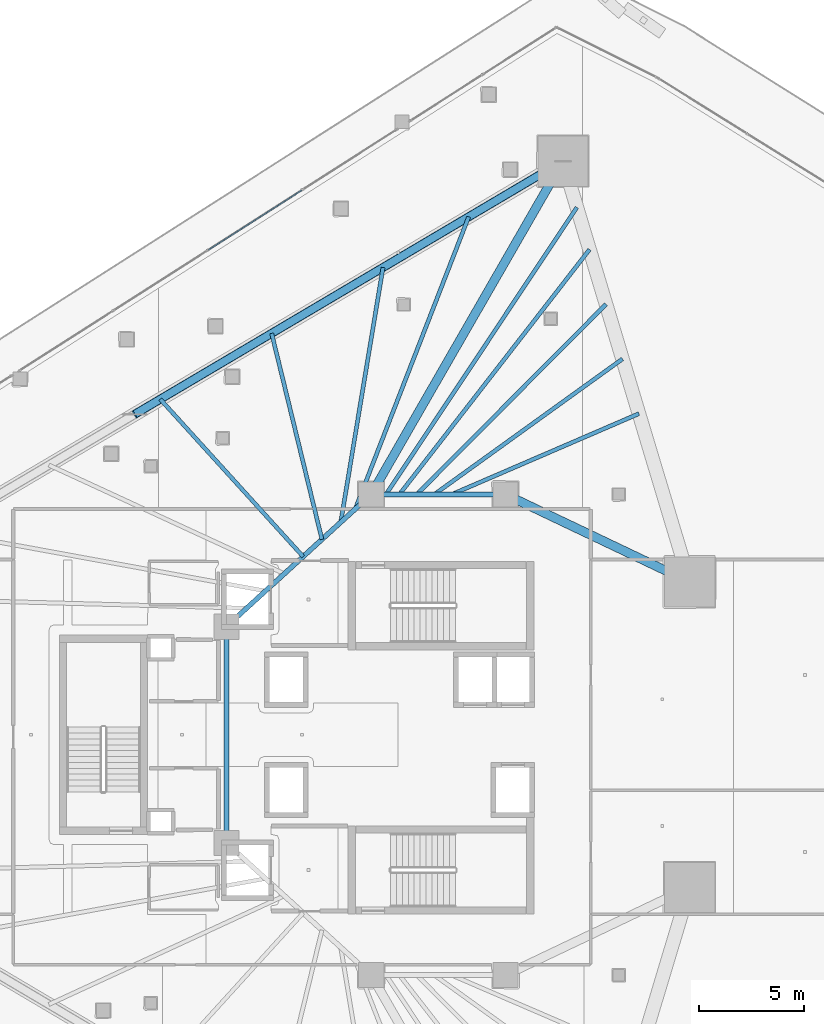
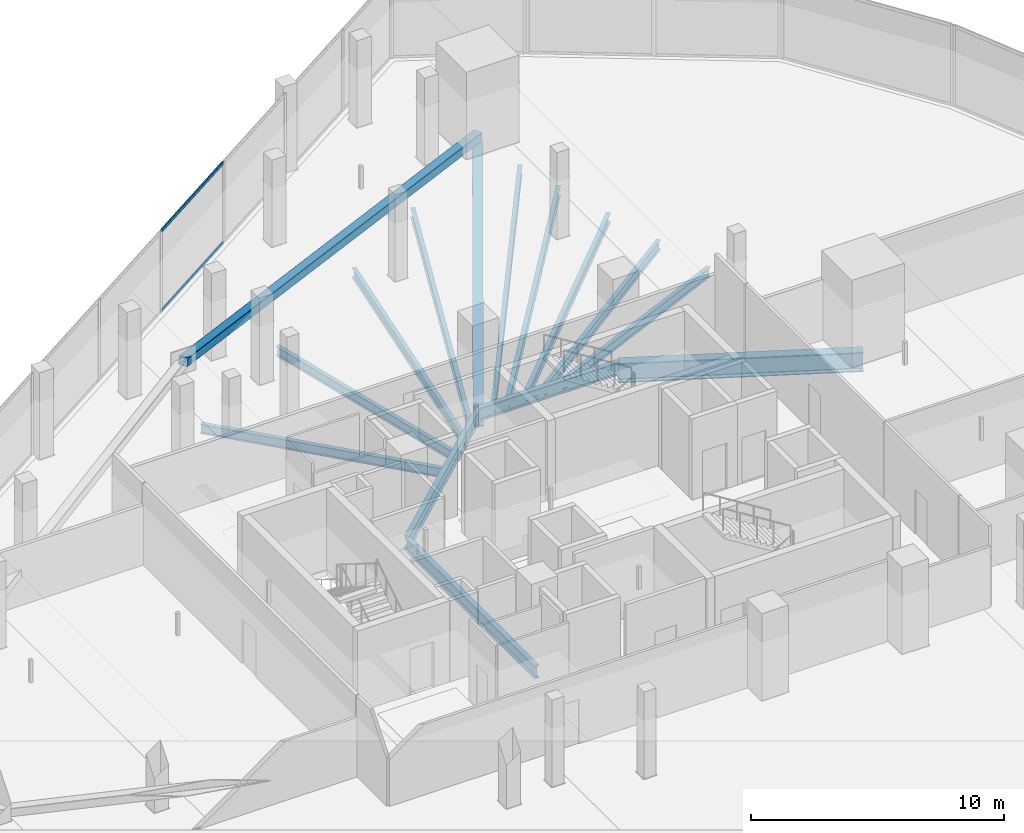
# One storey, part 19 of 43: 14 beams, 3 members, 1 element without a shape of its own.
"""IFC4 building model written with IfcOpenShell, lengths in metres."""

from ifc_helpers import new_model, si_unit, direction, frame, origin, origin_2d, place, context, subcontext, project, spatial, hollow_rectangle, i_section, extrude, material, layer, layer_set, material_profile, profile_set, type_object, element, aggregate, save


model = new_model("IFC4")

# Units and contexts
model_context = context("Model", 3, precision=1e-05, world=origin(), true_north=direction((0.0, 1.0)))
body_context = subcontext(model_context, "Body", "Model", "MODEL_VIEW")
ifc_project = project(units=[si_unit("LENGTHUNIT", "METRE"), si_unit("AREAUNIT", "SQUARE_METRE"), si_unit("VOLUMEUNIT", "CUBIC_METRE"), si_unit("PLANEANGLEUNIT", "RADIAN"), si_unit("MASSUNIT", "GRAM", prefix="KILO")], contexts=[model_context])

# Site, building, storey
site_placement = place(None, origin())
site = spatial("IfcSite", under=ifc_project, at=site_placement, CompositionType="ELEMENT")
building_placement = place(site_placement, origin())
building = spatial("IfcBuilding", under=site, at=building_placement, Name="Qorvath Tower", CompositionType="ELEMENT")
storey_placement = place(building_placement, frame((0.0, 0.0, 36.60009765625)))
storey = spatial("IfcBuildingStorey", under=building, at=storey_placement, Name="L07", CompositionType="ELEMENT", Elevation=36.60009765625)

# Beams
ifc_material_1 = material(Name="Steel ASTM A992 Grade 50", Category="steel")
ifc_material_profile_1 = material_profile(ifc_material_1, i_section(OverallWidth=0.422119140625, OverallDepth=0.93310546875, WebThickness=0.021240234375, FlangeThickness=0.039794921875, FilletRadius=0.02392578125, at=origin_2d()), Name="W36x262")
ifc_profile_set_1 = profile_set([ifc_material_profile_1], Name="Steel ASTM A992 Grade 50")
beam_type_1 = type_object("IfcBeamType", Name="BM-FG1", PredefinedType="BEAM", material=ifc_profile_set_1)
beam_1_placement = place(storey_placement, frame((-23.60009765625, 11.449951171875, -0.74658203125), z_axis=(0.498645367714, 0.866806089767, 0.0), x_axis=(-0.866806089767, 0.498645367714, 0.0)))
element("IfcBeam", 1, at=beam_1_placement, inside=storey, type_object=beam_type_1, Name="Radial Floor Girder CC1-MC6 L07", PredefinedType="BEAM", context=body_context, shape_type="SweptSolid", body=[
    extrude(i_section(OverallWidth=0.422119140625, OverallDepth=0.93310546875, WebThickness=0.021240234375, FlangeThickness=0.039794921875, FilletRadius=0.02392578125, at=origin_2d()), origin(), (0.0, 0.0, 1.0), 18.321044921875),
])
beam_2_placement = place(storey_placement, frame((-17.199951171875, 11.449951171875, -0.74658203125), z_axis=(0.902955751435, -0.429733534821, 0.0), x_axis=(0.429733534821, 0.902955751435, 0.0)))
element("IfcBeam", 2, at=beam_2_placement, inside=storey, type_object=beam_type_1, Name="Radial Floor Girder CC2-MC5 L07", PredefinedType="BEAM", context=body_context, shape_type="SweptSolid", body=[
    extrude(i_section(OverallWidth=0.422119140625, OverallDepth=0.93310546875, WebThickness=0.021240234375, FlangeThickness=0.039794921875, FilletRadius=0.02392578125, at=origin_2d()), origin(), (0.0, 0.0, 1.0), 9.7119140625),
])
ifc_material_2 = material(Name="Steel ASTM A992 Grade 50", Category="steel")
ifc_material_profile_2 = material_profile(ifc_material_2, i_section(OverallWidth=0.22998046875, OverallDepth=0.616943359375, WebThickness=0.01318359375, FlangeThickness=0.022216796875, FilletRadius=0.014892578125, at=origin_2d()), Name="W24x94")
ifc_profile_set_2 = profile_set([ifc_material_profile_2], Name="Steel ASTM A992 Grade 50")
beam_type_2 = type_object("IfcBeamType", Name="BM-FG6", PredefinedType="BEAM", material=ifc_profile_set_2)
beam_3_placement = place(storey_placement, frame((-23.60009765625, 11.449951171875, -0.58837890625), z_axis=(1.0, 0.0, 0.0), x_axis=(0.0, 1.0, 0.0)))
element("IfcBeam", 3, at=beam_3_placement, inside=storey, type_object=beam_type_2, Name="Core Ring Girder CC1-CC2 L07", PredefinedType="BEAM", context=body_context, shape_type="SweptSolid", body=[
    extrude(i_section(OverallWidth=0.22998046875, OverallDepth=0.616943359375, WebThickness=0.01318359375, FlangeThickness=0.022216796875, FilletRadius=0.014892578125, at=origin_2d()), origin(), (0.0, 0.0, 1.0), 6.400146484375),
])
beam_4_placement = place(storey_placement, frame((-30.5, -5.14990234375, -0.58837890625), z_axis=(0.0, 1.0, 0.0), x_axis=(-1.0, 0.0, 0.0)))
element("IfcBeam", 4, at=beam_4_placement, inside=storey, type_object=beam_type_2, Name="Core Ring Girder CC6-CC5 L07", PredefinedType="BEAM", context=body_context, shape_type="SweptSolid", body=[
    extrude(i_section(OverallWidth=0.22998046875, OverallDepth=0.616943359375, WebThickness=0.01318359375, FlangeThickness=0.022216796875, FilletRadius=0.014892578125, at=origin_2d()), origin(), (0.0, 0.0, 1.0), 10.2998046875),
])
beam_5_placement = place(storey_placement, frame((-30.5, 5.14990234375, -0.58837890625), z_axis=(0.73847813985, 0.6742774184, 0.0), x_axis=(-0.6742774184, 0.73847813985, 0.0)))
element("IfcBeam", 5, at=beam_5_placement, inside=storey, type_object=beam_type_2, Name="Core Ring Girder CC5-CC1 L07", PredefinedType="BEAM", context=body_context, shape_type="SweptSolid", body=[
    extrude(i_section(OverallWidth=0.22998046875, OverallDepth=0.616943359375, WebThickness=0.01318359375, FlangeThickness=0.022216796875, FilletRadius=0.014892578125, at=origin_2d()), origin(), (0.0, 0.0, 1.0), 9.343505859375),
])
ifc_material_3 = material(Name="Steel ASTM A992 Grade 50", Category="steel")
ifc_material_profile_3 = material_profile(ifc_material_3, i_section(OverallWidth=0.18994140625, OverallDepth=0.45703125, WebThickness=0.009033203125, FlangeThickness=0.014404296875, FilletRadius=0.011962890625, at=origin_2d()), Name="W18x50")
ifc_profile_set_3 = profile_set([ifc_material_profile_3], Name="Steel ASTM A992 Grade 50")
beam_type_3 = type_object("IfcBeamType", Name="BM-FJ2", PredefinedType="JOIST", material=ifc_profile_set_3)
beam_6_placement = place(storey_placement, frame((-19.760009765625, 11.449951171875, -0.508544921875), z_axis=(0.918135537923, 0.396266493667, 0.0), x_axis=(-0.396266493667, 0.918135537923, 0.0)))
element("IfcBeam", 6, at=beam_6_placement, inside=storey, type_object=beam_type_3, Name="Composite Floor Joist NE3 L07", PredefinedType="JOIST", context=body_context, shape_type="SweptSolid", body=[
    extrude(i_section(OverallWidth=0.18994140625, OverallDepth=0.45703125, WebThickness=0.009033203125, FlangeThickness=0.014404296875, FilletRadius=0.011962890625, at=origin_2d()), origin(), (0.0, 0.0, 1.0), 9.7109375),
])
beam_7_placement = place(storey_placement, frame((-20.592041015625, 11.449951171875, -0.508544921875), z_axis=(0.811469358397, 0.584394969505, 0.0), x_axis=(-0.584394969505, 0.811469358397, 0.0)))
element("IfcBeam", 7, at=beam_7_placement, inside=storey, type_object=beam_type_3, Name="Composite Floor Joist NE4 L07", PredefinedType="JOIST", context=body_context, shape_type="SweptSolid", body=[
    extrude(i_section(OverallWidth=0.18994140625, OverallDepth=0.45703125, WebThickness=0.009033203125, FlangeThickness=0.014404296875, FilletRadius=0.011962890625, at=origin_2d()), origin(), (0.0, 0.0, 1.0), 11.046142578125),
])
beam_8_placement = place(storey_placement, frame((-21.424072265625, 11.449951171875, -0.508544921875), z_axis=(0.705107654599, 0.709100271771, 0.0), x_axis=(-0.709100271771, 0.705107654599, 0.0)))
element("IfcBeam", 8, at=beam_8_placement, inside=storey, type_object=beam_type_3, Name="Composite Floor Joist NE5 L07", PredefinedType="JOIST", context=body_context, shape_type="SweptSolid", body=[
    extrude(i_section(OverallWidth=0.18994140625, OverallDepth=0.45703125, WebThickness=0.009033203125, FlangeThickness=0.014404296875, FilletRadius=0.011962890625, at=origin_2d()), origin(), (0.0, 0.0, 1.0), 12.780029296875),
])
beam_9_placement = place(storey_placement, frame((-22.256103515625, 11.449951171875, -0.508544921875), z_axis=(0.613206963859, 0.789922286984, 0.0), x_axis=(-0.789922286984, 0.613206963859, 0.0)))
element("IfcBeam", 9, at=beam_9_placement, inside=storey, type_object=beam_type_3, Name="Composite Floor Joist NE6 L07", PredefinedType="JOIST", context=body_context, shape_type="SweptSolid", body=[
    extrude(i_section(OverallWidth=0.18994140625, OverallDepth=0.45703125, WebThickness=0.009033203125, FlangeThickness=0.014404296875, FilletRadius=0.011962890625, at=origin_2d()), origin(), (0.0, 0.0, 1.0), 14.77294921875),
])
beam_10_placement = place(storey_placement, frame((-22.89599609375, 11.449951171875, -0.508544921875), z_axis=(0.553811384989, 0.83264214994, 0.0), x_axis=(-0.83264214994, 0.553811384989, 0.0)))
element("IfcBeam", 10, at=beam_10_placement, inside=storey, type_object=beam_type_3, Name="Composite Floor Joist NE7 L07", PredefinedType="JOIST", context=body_context, shape_type="SweptSolid", body=[
    extrude(i_section(OverallWidth=0.18994140625, OverallDepth=0.45703125, WebThickness=0.009033203125, FlangeThickness=0.014404296875, FilletRadius=0.011962890625, at=origin_2d()), origin(), (0.0, 0.0, 1.0), 16.42333984375),
])
beam_11_placement = place(storey_placement, frame((-26.843017578125, 8.489013671875, -0.508544921875), z_axis=(-0.672128980215, 0.740434084815, 0.0), x_axis=(-0.740434084815, -0.672128980215, 0.0)))
element("IfcBeam", 11, at=beam_11_placement, inside=storey, type_object=beam_type_3, Name="Composite Floor Joist NW4 L07", PredefinedType="JOIST", context=body_context, shape_type="SweptSolid", body=[
    extrude(i_section(OverallWidth=0.18994140625, OverallDepth=0.45703125, WebThickness=0.009033203125, FlangeThickness=0.014404296875, FilletRadius=0.011962890625, at=origin_2d()), origin(), (0.0, 0.0, 1.0), 10.1259765625),
])
beam_12_placement = place(storey_placement, frame((-25.946044921875, 9.30810546875, -0.508544921875), z_axis=(-0.237165308581, 0.97146930801, 0.0), x_axis=(-0.97146930801, -0.237165308581, 0.0)))
element("IfcBeam", 12, at=beam_12_placement, inside=storey, type_object=beam_type_3, Name="Composite Floor Joist NW5 L07", PredefinedType="JOIST", context=body_context, shape_type="SweptSolid", body=[
    extrude(i_section(OverallWidth=0.18994140625, OverallDepth=0.45703125, WebThickness=0.009033203125, FlangeThickness=0.014404296875, FilletRadius=0.011962890625, at=origin_2d()), origin(), (0.0, 0.0, 1.0), 10.104736328125),
])
beam_13_placement = place(storey_placement, frame((-25.049072265625, 10.126953125, -0.508544921875), z_axis=(0.163639384475, 0.98652022374, 0.0), x_axis=(-0.98652022374, 0.163639384475, 0.0)))
element("IfcBeam", 13, at=beam_13_placement, inside=storey, type_object=beam_type_3, Name="Composite Floor Joist NW6 L07", PredefinedType="JOIST", context=body_context, shape_type="SweptSolid", body=[
    extrude(i_section(OverallWidth=0.18994140625, OverallDepth=0.45703125, WebThickness=0.009033203125, FlangeThickness=0.014404296875, FilletRadius=0.011962890625, at=origin_2d()), origin(), (0.0, 0.0, 1.0), 12.301025390625),
])
beam_14_placement = place(storey_placement, frame((-24.35888671875, 10.757080078125, -0.508544921875), z_axis=(0.361964096586, 0.93219203643, 0.0), x_axis=(-0.93219203643, 0.361964096586, 0.0)))
element("IfcBeam", 14, at=beam_14_placement, inside=storey, type_object=beam_type_3, Name="Composite Floor Joist NW7 L07", PredefinedType="JOIST", context=body_context, shape_type="SweptSolid", body=[
    extrude(i_section(OverallWidth=0.18994140625, OverallDepth=0.45703125, WebThickness=0.009033203125, FlangeThickness=0.014404296875, FilletRadius=0.011962890625, at=origin_2d()), origin(), (0.0, 0.0, 1.0), 14.93115234375),
])

# Curtain wall, members
ifc_material_4 = material(Name="Anodised aluminium and triple low-E glass", Category="aluminium")
ifc_layer = layer(ifc_material_4, 0.179931640625)
ifc_layer_set = layer_set([ifc_layer], Name="CW-SYS-2")
curtain_wall_type = type_object("IfcCurtainWallType", Name="CW-SYS-2", PredefinedType="NOTDEFINED", material=ifc_layer_set)
curtain_wall_placement = place(storey_placement, origin())
curtain_wall = element("IfcCurtainWall", 15, at=curtain_wall_placement, inside=storey, type_object=curtain_wall_type, Name="Curtain Wall CW-2 CW-T-L07-16.2", PredefinedType="NOTDEFINED")
ifc_material_5 = material(Name="Anodised aluminium 6063-T6", Category="aluminium")
ifc_material_profile_4 = material_profile(ifc_material_5, hollow_rectangle(XDim=0.06494140625, YDim=0.159912109375, WallThickness=0.00341796875, InnerFilletRadius=0.00341796875, OuterFilletRadius=0.007080078125, at=origin_2d()), Name="CWT 160x65")
ifc_profile_set_4 = profile_set([ifc_material_profile_4], Name="Anodised aluminium 6063-T6")
member_type_1 = type_object("IfcMemberType", Name="CWT-160", PredefinedType="USERDEFINED", material=ifc_profile_set_4)
member_1_placement = place(storey_placement, frame((-26.905517578125, 25.940673828125, 0.032470703125), z_axis=(-0.842604728555, -0.538532516582, 0.0), x_axis=(0.538532516582, -0.842604728555, 0.0)))
member_1 = element("IfcMember", 16, at=member_1_placement, type_object=member_type_1, Name="CW-2 transom 2.1", ObjectType="TRANSOM", PredefinedType="USERDEFINED", context=body_context, shape_type="SweptSolid", body=[
    extrude(hollow_rectangle(XDim=0.06494140625, YDim=0.159912109375, WallThickness=0.00341796875, InnerFilletRadius=0.00341796875, OuterFilletRadius=0.007080078125, at=origin_2d()), origin(), (0.0, 0.0, 1.0), 5.2783203125),
])
member_2_placement = place(storey_placement, frame((-26.905517578125, 25.940673828125, 3.887451171875), z_axis=(-0.842604728555, -0.538532516582, 0.0), x_axis=(0.538532516582, -0.842604728555, 0.0)))
member_2 = element("IfcMember", 17, at=member_2_placement, type_object=member_type_1, Name="CW-2 transom 2.2", ObjectType="TRANSOM", PredefinedType="USERDEFINED", context=body_context, shape_type="SweptSolid", body=[
    extrude(hollow_rectangle(XDim=0.06494140625, YDim=0.159912109375, WallThickness=0.00341796875, InnerFilletRadius=0.00341796875, OuterFilletRadius=0.007080078125, at=origin_2d()), origin(), (0.0, 0.0, 1.0), 5.2783203125),
])
aggregate(curtain_wall, [member_1, member_2])

# Member
ifc_material_6 = material(Name="Steel ASTM A500 Grade C", Category="steel")
ifc_material_profile_5 = material_profile(ifc_material_6, hollow_rectangle(XDim=0.406494140625, YDim=0.406494140625, WallThickness=0.015869140625, InnerFilletRadius=0.015869140625, OuterFilletRadius=0.03173828125, at=origin_2d()), Name="HSS 406x406x16")
ifc_profile_set_5 = profile_set([ifc_material_profile_5], Name="Steel ASTM A500 Grade C")
member_type_2 = type_object("IfcMemberType", Name="MEM-MB1", PredefinedType="BRACE", material=ifc_profile_set_5)
member_3_placement = place(storey_placement, frame((-14.46435546875, 27.330810546875, 0.0), z_axis=(-0.851185376372, -0.50330686914, 0.148881330351), x_axis=(0.508979409022, -0.860778694666, 0.0)))
element("IfcMember", 18, at=member_3_placement, inside=storey, type_object=member_type_2, Name="Perimeter Chevron Brace L07-1A", PredefinedType="BRACE", context=body_context, shape_type="SweptSolid", body=[
    extrude(hollow_rectangle(XDim=0.406494140625, YDim=0.406494140625, WallThickness=0.015869140625, InnerFilletRadius=0.015869140625, OuterFilletRadius=0.03173828125, at=origin_2d()), origin(), (0.0, 0.0, 1.0), 23.9775390625),
])

save(model, "model.ifc")
